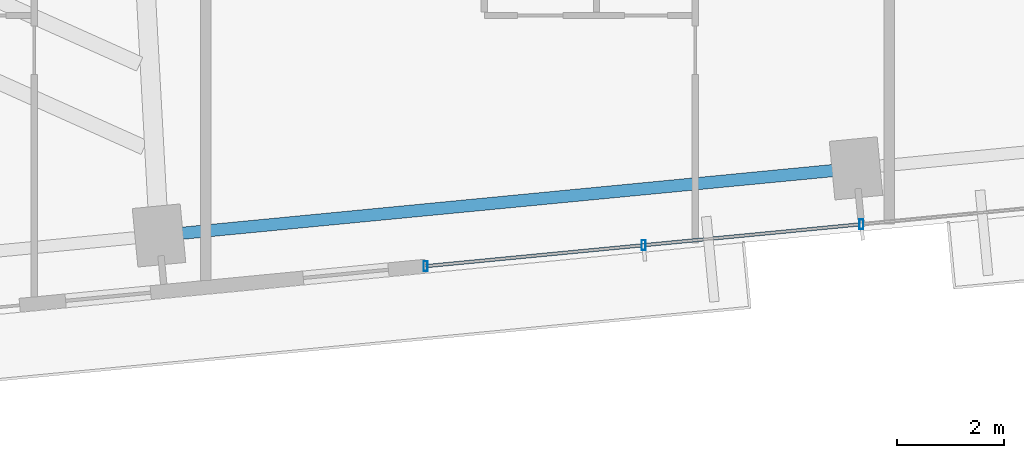
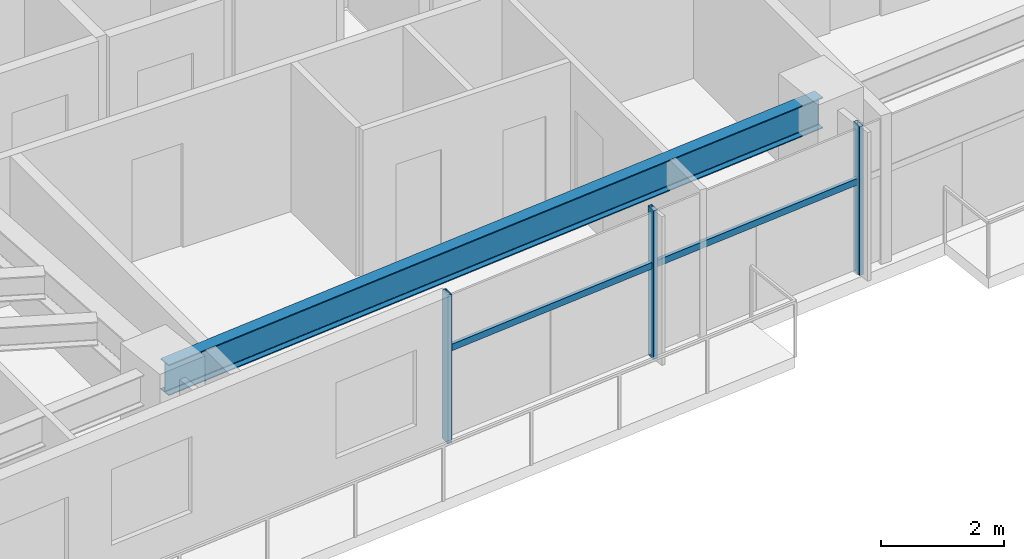
# One storey, part 6 of 27: 5 members, 1 beam, 1 element without a shape of its own.
"""IFC4 building model written with IfcOpenShell, lengths in metres."""

from ifc_helpers import new_model, si_unit, direction, frame, origin, origin_2d, place, context, subcontext, project, spatial, hollow_rectangle, i_section, extrude, source, transform, mapped, material, material_profile, profile_set, type_object, type_shapes, element, aggregate, save


model = new_model("IFC4")

# Units and contexts
model_context = context("Model", 3, precision=1e-05, world=origin(), true_north=direction((0.0, 1.0)))
body_context = subcontext(model_context, "Body", "Model", "MODEL_VIEW")
ifc_project = project(units=[si_unit("LENGTHUNIT", "METRE"), si_unit("AREAUNIT", "SQUARE_METRE"), si_unit("VOLUMEUNIT", "CUBIC_METRE"), si_unit("PLANEANGLEUNIT", "RADIAN"), si_unit("MASSUNIT", "GRAM", prefix="KILO")], contexts=[model_context])

# Site, building, storey
site_placement = place(None, origin())
site = spatial("IfcSite", under=ifc_project, at=site_placement, CompositionType="ELEMENT")
building_placement = place(site_placement, origin())
building = spatial("IfcBuilding", under=site, at=building_placement, Name="Astriad Promenade Condominiums", CompositionType="ELEMENT")
storey_placement = place(building_placement, frame((0.0, 0.0, 93.800048828125)))
storey = spatial("IfcBuildingStorey", under=building, at=storey_placement, Name="L26", CompositionType="ELEMENT", Elevation=93.800048828125)

# Beam
ifc_material_1 = material(Name="Steel ASTM A992 Grade 50", Category="steel")
ifc_material_profile_1 = material_profile(ifc_material_1, i_section(OverallWidth=0.22900390625, OverallDepth=0.612060546875, WebThickness=0.011962890625, FlangeThickness=0.01953125, FilletRadius=0.017822265625, at=origin_2d()), Name="W24X84")
ifc_profile_set_1 = profile_set([ifc_material_profile_1], Name="Steel ASTM A992 Grade 50")
beam_type = type_object("IfcBeamType", Name="STEEL SPANDREL BEAM W24X84", PredefinedType="SPANDREL", material=ifc_profile_set_1)
shared_shape_1 = source(origin(), body_context, "Body", "SweptSolid", [
    extrude(i_section(OverallWidth=0.22900390625, OverallDepth=0.612060546875, WebThickness=0.011962890625, FlangeThickness=0.01953125, FilletRadius=0.017822265625, at=origin_2d()), origin(), (0.0, 0.0, 1.0), 13.020263671875),
])
type_shapes(beam_type, [shared_shape_1])
beam_placement = place(storey_placement, frame((27.04541015625, 6.268798828125, 2.6337890625), z_axis=(0.995395311238, 0.095854965264, 0.0), x_axis=(-0.095854965264, 0.995395311238, 0.0)))
element("IfcBeam", 1, at=beam_placement, inside=storey, type_object=beam_type, Name="Perimeter Spandrel Beam SP-S2-L26", PredefinedType="SPANDREL", context=body_context, shape_type="MappedRepresentation", body=[
    mapped(shared_shape_1, transform((0.0, 0.0, 0.0), scale=1.0)),
])

# Curtain wall, members
ifc_material_2 = material(Name="Anodised aluminium Black Dark Glass Unitised", Category="aluminium")
curtain_wall_type = type_object("IfcCurtainWallType", Name="CW-B2-DARK", PredefinedType="USERDEFINED", material=ifc_material_2)
curtain_wall_placement = place(storey_placement, origin())
curtain_wall = element("IfcCurtainWall", 2, at=curtain_wall_placement, inside=storey, type_object=curtain_wall_type, Name="CW-L26-S", ObjectType="UNITISED_CURTAIN_WALL", PredefinedType="USERDEFINED")
ifc_material_3 = material(Name="Anodised aluminium 6063-T6 Black", Category="aluminium")
ifc_material_profile_2 = material_profile(ifc_material_3, hollow_rectangle(XDim=0.074951171875, YDim=0.18505859375, WallThickness=0.00439453125, at=origin_2d()), Name="ALU-MUL-75X185")
ifc_profile_set_2 = profile_set([ifc_material_profile_2], Name="Anodised aluminium 6063-T6 Black")
member_type_1 = type_object("IfcMemberType", Name="MUL-ALU-MUL-75X185", PredefinedType="MULLION", material=ifc_profile_set_2)
shared_shape_2 = source(origin(), body_context, "Body", "SweptSolid", [
    extrude(hollow_rectangle(XDim=0.074951171875, YDim=0.18505859375, WallThickness=0.00439453125, at=origin_2d()), origin(), (0.0, 0.0, 1.0), 2.93994140625),
])
type_shapes(member_type_1, [shared_shape_2])
member_1_placement = place(storey_placement, frame((40.14599609375, 6.475341796875, 0.0), z_axis=(0.0, 0.0, 1.0), x_axis=(1.0, 0.0, 0.0)))
member_1 = element("IfcMember", 3, at=member_1_placement, type_object=member_type_1, Name="CW-L26-S-MUL-02", PredefinedType="MULLION", context=body_context, shape_type="MappedRepresentation", body=[
    mapped(shared_shape_2, transform((0.0, 0.0, 0.0), scale=1.0)),
])
member_2_placement = place(storey_placement, frame((36.06982421875, 6.0830078125, 0.0), z_axis=(0.0, 0.0, 1.0), x_axis=(1.0, 0.0, 0.0)))
member_2 = element("IfcMember", 4, at=member_2_placement, type_object=member_type_1, Name="CW-L26-S-MUL-03", PredefinedType="MULLION", context=body_context, shape_type="MappedRepresentation", body=[
    mapped(shared_shape_2, transform((0.0, 0.0, 0.0), scale=1.0)),
])
member_3_placement = place(storey_placement, frame((31.99365234375, 5.6904296875, 0.0), z_axis=(0.0, 0.0, 1.0), x_axis=(1.0, 0.0, 0.0)))
member_3 = element("IfcMember", 5, at=member_3_placement, type_object=member_type_1, Name="CW-L26-S-MUL-04", PredefinedType="MULLION", context=body_context, shape_type="MappedRepresentation", body=[
    mapped(shared_shape_2, transform((0.0, 0.0, 0.0), scale=1.0)),
])
ifc_material_profile_3 = material_profile(ifc_material_3, hollow_rectangle(XDim=0.06494140625, YDim=0.1298828125, WallThickness=0.00390625, at=origin_2d()), Name="ALU-TRN-65X130")
ifc_profile_set_3 = profile_set([ifc_material_profile_3], Name="Anodised aluminium 6063-T6 Black")
member_type_2 = type_object("IfcMemberType", Name="TRN-ALU-TRN-65X130", PredefinedType="USERDEFINED", material=ifc_profile_set_3)
shared_shape_3 = source(origin(), body_context, "Body", "SweptSolid", [
    extrude(hollow_rectangle(XDim=0.06494140625, YDim=0.1298828125, WallThickness=0.00390625, at=origin_2d()), origin(), (0.0, 0.0, 1.0), 4.094970703125),
])
type_shapes(member_type_2, [shared_shape_3])
member_4_placement = place(storey_placement, frame((40.14599609375, 6.475341796875, 1.82275390625), z_axis=(-0.995399849002, -0.095807831657, 0.0), x_axis=(0.095807831657, -0.995399849002, 0.0)))
member_4 = element("IfcMember", 6, at=member_4_placement, type_object=member_type_2, Name="CW-L26-S-TRN-02-0", ObjectType="TRANSOM", PredefinedType="USERDEFINED", context=body_context, shape_type="MappedRepresentation", body=[
    mapped(shared_shape_3, transform((0.0, 0.0, 0.0), scale=1.0)),
])
member_5_placement = place(storey_placement, frame((36.06982421875, 6.0830078125, 1.82275390625), z_axis=(-0.995394161585, -0.09586690296, 0.0), x_axis=(0.09586690296, -0.995394161585, 0.0)))
member_5 = element("IfcMember", 7, at=member_5_placement, type_object=member_type_2, Name="CW-L26-S-TRN-03-0", ObjectType="TRANSOM", PredefinedType="USERDEFINED", context=body_context, shape_type="MappedRepresentation", body=[
    mapped(shared_shape_3, transform((0.0, 0.0, 0.0), scale=1.0)),
])
aggregate(curtain_wall, [member_1, member_2, member_3, member_4, member_5])

save(model, "model.ifc")
